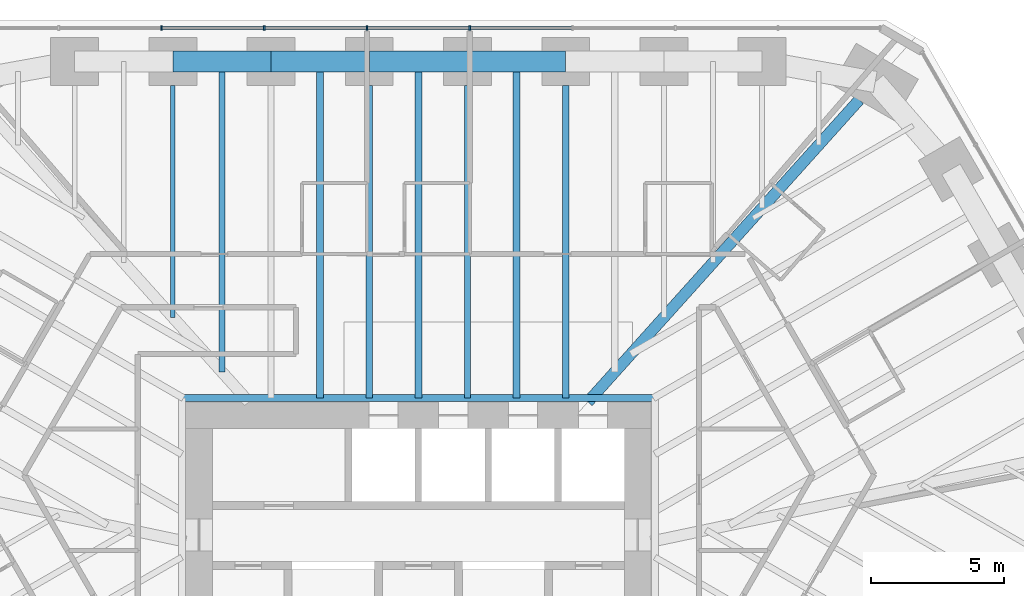
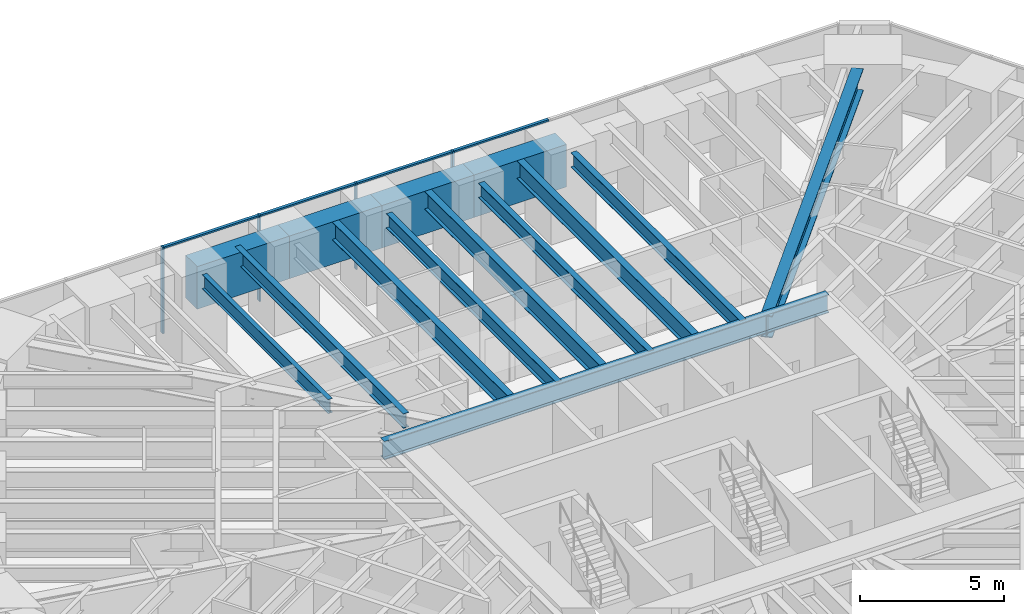
# One storey, part 8 of 16: 14 beams, 8 members, 1 element without a shape of its own.
"""IFC4 building model written with IfcOpenShell, lengths in metres."""

from ifc_helpers import new_model, si_unit, direction, frame, origin, origin_2d, place, context, subcontext, project, spatial, rectangle, i_section, extrude, material, material_profile, profile_set, type_object, element, aggregate, save


model = new_model("IFC4")

# Units and contexts
model_context = context("Model", 3, precision=1e-05, world=origin(), true_north=direction((0.0, 1.0)))
body_context = subcontext(model_context, "Body", "Model", "MODEL_VIEW")
ifc_project = project(units=[si_unit("LENGTHUNIT", "METRE"), si_unit("AREAUNIT", "SQUARE_METRE"), si_unit("VOLUMEUNIT", "CUBIC_METRE"), si_unit("PLANEANGLEUNIT", "RADIAN"), si_unit("MASSUNIT", "GRAM", prefix="KILO")], contexts=[model_context])

# Site, building, storey
site_placement = place(None, origin())
site = spatial("IfcSite", under=ifc_project, at=site_placement, CompositionType="ELEMENT")
building_placement = place(site_placement, origin())
building = spatial("IfcBuilding", under=site, at=building_placement, Name="Sandreach Pilgrim Tower", CompositionType="ELEMENT")
storey_placement = place(building_placement, frame((0.0, 0.0, 183.199951171875)))
storey = spatial("IfcBuildingStorey", under=building, at=storey_placement, Name="L45", CompositionType="ELEMENT", Elevation=183.199951171875)

# Curtain wall, members
ifc_material_1 = material(Name="Aluminium framed curtain wall", Category="aluminium")
curtain_wall_type = type_object("IfcCurtainWallType", Name="Upper hotel tower curtain wall", PredefinedType="NOTDEFINED", material=ifc_material_1)
curtain_wall_placement = place(storey_placement, origin())
curtain_wall = element("IfcCurtainWall", 1, at=curtain_wall_placement, inside=storey, type_object=curtain_wall_type, Name="CW-3 L45 N", PredefinedType="NOTDEFINED")
ifc_material_2 = material(Name="Aluminium extrusion", Category="aluminium")
ifc_material_profile_1 = material_profile(ifc_material_2, rectangle(XDim=0.06494140625, YDim=0.159912109375, at=origin_2d()), Name="CW-3M 65X160")
ifc_profile_set_1 = profile_set([ifc_material_profile_1], Name="Aluminium extrusion")
member_type_1 = type_object("IfcMemberType", Name="CW-3 mullion", PredefinedType="MULLION", material=ifc_profile_set_1)
member_1_placement = place(storey_placement, frame((-9.6611328125, 21.16015625, 0.0), z_axis=(0.0, 0.0, 1.0), x_axis=(1.0, 0.0, 0.0)))
member_1 = element("IfcMember", 2, at=member_1_placement, type_object=member_type_1, Name="CW-3 mullion 3", PredefinedType="MULLION", context=body_context, shape_type="SweptSolid", body=[
    extrude(rectangle(XDim=0.06494140625, YDim=0.159912109375, at=origin_2d()), origin(), (0.0, 0.0, 1.0), 3.64013671875),
])
member_2_placement = place(storey_placement, frame((-5.796630859375, 21.16015625, 0.0), z_axis=(0.0, 0.0, 1.0), x_axis=(1.0, 0.0, 0.0)))
member_2 = element("IfcMember", 3, at=member_2_placement, type_object=member_type_1, Name="CW-3 mullion 4", PredefinedType="MULLION", context=body_context, shape_type="SweptSolid", body=[
    extrude(rectangle(XDim=0.06494140625, YDim=0.159912109375, at=origin_2d()), origin(), (0.0, 0.0, 1.0), 3.64013671875),
])
member_3_placement = place(storey_placement, frame((-1.93212890625, 21.16015625, 0.0), z_axis=(0.0, 0.0, 1.0), x_axis=(1.0, 0.0, 0.0)))
member_3 = element("IfcMember", 4, at=member_3_placement, type_object=member_type_1, Name="CW-3 mullion 5", PredefinedType="MULLION", context=body_context, shape_type="SweptSolid", body=[
    extrude(rectangle(XDim=0.06494140625, YDim=0.159912109375, at=origin_2d()), origin(), (0.0, 0.0, 1.0), 3.64013671875),
])
member_4_placement = place(storey_placement, frame((1.93212890625, 21.16015625, 0.0), z_axis=(0.0, 0.0, 1.0), x_axis=(1.0, 0.0, 0.0)))
member_4 = element("IfcMember", 5, at=member_4_placement, type_object=member_type_1, Name="CW-3 mullion 6", PredefinedType="MULLION", context=body_context, shape_type="SweptSolid", body=[
    extrude(rectangle(XDim=0.06494140625, YDim=0.159912109375, at=origin_2d()), origin(), (0.0, 0.0, 1.0), 3.64013671875),
])
ifc_material_3 = material(Name="Aluminium extrusion", Category="aluminium")
ifc_material_profile_2 = material_profile(ifc_material_3, rectangle(XDim=0.1201171875, YDim=0.070068359375, at=origin_2d()), Name="CW-3T 120X70")
ifc_profile_set_2 = profile_set([ifc_material_profile_2], Name="Aluminium extrusion")
member_type_2 = type_object("IfcMemberType", Name="CW-3 transom", PredefinedType="USERDEFINED", material=ifc_profile_set_2)
member_5_placement = place(storey_placement, frame((-9.628662109375, 21.16015625, 3.60498046875), z_axis=(1.0, 0.0, 0.0), x_axis=(0.0, 1.0, 0.0)))
member_5 = element("IfcMember", 6, at=member_5_placement, type_object=member_type_2, Name="CW-3 head transom 3", ObjectType="TRANSOM", PredefinedType="USERDEFINED", context=body_context, shape_type="SweptSolid", body=[
    extrude(rectangle(XDim=0.1201171875, YDim=0.070068359375, at=origin_2d()), origin(), (0.0, 0.0, 1.0), 3.799560546875),
])
member_6_placement = place(storey_placement, frame((-5.76416015625, 21.16015625, 3.60498046875), z_axis=(1.0, 0.0, 0.0), x_axis=(0.0, 1.0, 0.0)))
member_6 = element("IfcMember", 7, at=member_6_placement, type_object=member_type_2, Name="CW-3 head transom 4", ObjectType="TRANSOM", PredefinedType="USERDEFINED", context=body_context, shape_type="SweptSolid", body=[
    extrude(rectangle(XDim=0.1201171875, YDim=0.070068359375, at=origin_2d()), origin(), (0.0, 0.0, 1.0), 3.799560546875),
])
member_7_placement = place(storey_placement, frame((-1.899658203125, 21.16015625, 3.60498046875), z_axis=(1.0, 0.0, 0.0), x_axis=(0.0, 1.0, 0.0)))
member_7 = element("IfcMember", 8, at=member_7_placement, type_object=member_type_2, Name="CW-3 head transom 5", ObjectType="TRANSOM", PredefinedType="USERDEFINED", context=body_context, shape_type="SweptSolid", body=[
    extrude(rectangle(XDim=0.1201171875, YDim=0.070068359375, at=origin_2d()), origin(), (0.0, 0.0, 1.0), 3.79931640625),
])
member_8_placement = place(storey_placement, frame((1.964599609375, 21.16015625, 3.60498046875), z_axis=(1.0, 0.0, 0.0), x_axis=(0.0, 1.0, 0.0)))
member_8 = element("IfcMember", 9, at=member_8_placement, type_object=member_type_2, Name="CW-3 head transom 6", ObjectType="TRANSOM", PredefinedType="USERDEFINED", context=body_context, shape_type="SweptSolid", body=[
    extrude(rectangle(XDim=0.1201171875, YDim=0.070068359375, at=origin_2d()), origin(), (0.0, 0.0, 1.0), 3.799560546875),
])
aggregate(curtain_wall, [member_1, member_2, member_3, member_4, member_5, member_6, member_7, member_8])

# Beams
ifc_material_4 = material(Name="Steel ASTM A992 Grade 50", Category="steel")
ifc_material_profile_3 = material_profile(ifc_material_4, i_section(OverallWidth=0.2666015625, OverallDepth=0.77978515625, WebThickness=0.0166015625, FlangeThickness=0.030029296875, at=origin_2d()), Name="W30X148")
ifc_profile_set_3 = profile_set([ifc_material_profile_3], Name="Steel ASTM A992 Grade 50")
beam_type_1 = type_object("IfcBeamType", Name="Core edge beam W30X148", PredefinedType="BEAM", material=ifc_profile_set_3)
beam_1_placement = place(storey_placement, frame((-8.893310546875, 7.243408203125, 3.250244140625), z_axis=(1.0, 0.0, 0.0), x_axis=(0.0, 1.0, 0.0)))
element("IfcBeam", 10, at=beam_1_placement, inside=storey, type_object=beam_type_1, Name="BM L45 CEN", PredefinedType="BEAM", context=body_context, shape_type="SweptSolid", body=[
    extrude(i_section(OverallWidth=0.2666015625, OverallDepth=0.77978515625, WebThickness=0.0166015625, FlangeThickness=0.030029296875, at=origin_2d()), origin(), (0.0, 0.0, 1.0), 17.78662109375),
])
ifc_material_5 = material(Name="Steel ASTM A992 Grade 50", Category="steel")
ifc_material_profile_4 = material_profile(ifc_material_5, i_section(OverallWidth=0.421630859375, OverallDepth=0.937255859375, WebThickness=0.0224609375, FlangeThickness=0.039794921875, at=origin_2d()), Name="W36X282")
ifc_profile_set_4 = profile_set([ifc_material_profile_4], Name="Steel ASTM A992 Grade 50")
beam_type_2 = type_object("IfcBeamType", Name="Corner girder W36X282", PredefinedType="BEAM", material=ifc_profile_set_4)
beam_2_placement = place(storey_placement, frame((16.57666015625, 18.4609375, 3.17138671875), z_axis=(-0.668110921251, -0.744061688911, 0.0), x_axis=(0.744061688911, -0.668110921251, 0.0)))
element("IfcBeam", 11, at=beam_2_placement, inside=storey, type_object=beam_type_2, Name="BM L45 CG09", PredefinedType="BEAM", context=body_context, shape_type="SweptSolid", body=[
    extrude(i_section(OverallWidth=0.421630859375, OverallDepth=0.937255859375, WebThickness=0.0224609375, FlangeThickness=0.039794921875, at=origin_2d()), origin(), (0.0, 0.0, 1.0), 15.268798828125),
])
ifc_material_6 = material(Name="Steel ASTM A992 Grade 50", Category="steel")
ifc_material_profile_5 = material_profile(ifc_material_6, i_section(OverallWidth=0.1787109375, OverallDepth=0.60205078125, WebThickness=0.010986328125, FlangeThickness=0.014892578125, at=origin_2d()), Name="W24X62")
ifc_profile_set_5 = profile_set([ifc_material_profile_5], Name="Steel ASTM A992 Grade 50")
beam_type_3 = type_object("IfcBeamType", Name="Floor beam W24X62", PredefinedType="BEAM", material=ifc_profile_set_5)
beam_3_placement = place(storey_placement, frame((-9.231201171875, 19.0, 3.339111328125), z_axis=(0.0, -1.0, 0.0), x_axis=(1.0, 0.0, 0.0)))
element("IfcBeam", 12, at=beam_3_placement, inside=storey, type_object=beam_type_3, Name="BM L45 F02", PredefinedType="BEAM", context=body_context, shape_type="SweptSolid", body=[
    extrude(i_section(OverallWidth=0.1787109375, OverallDepth=0.60205078125, WebThickness=0.010986328125, FlangeThickness=0.014892578125, at=origin_2d()), origin(), (0.0, 0.0, 1.0), 8.719482421875),
])
ifc_material_7 = material(Name="Steel ASTM A992 Grade 50", Category="steel")
ifc_material_profile_6 = material_profile(ifc_material_7, i_section(OverallWidth=0.23046875, OverallDepth=0.6171875, WebThickness=0.01318359375, FlangeThickness=0.022216796875, at=origin_2d()), Name="W24X94")
ifc_profile_set_6 = profile_set([ifc_material_profile_6], Name="Steel ASTM A992 Grade 50")
beam_type_4 = type_object("IfcBeamType", Name="Floor beam W24X94", PredefinedType="BEAM", material=ifc_profile_set_6)
for number, where, z_axis, x_axis, name in (
    (13, (-1.84619140625, 19.0, 3.33154296875), (0.0, -1.0, 0.0), (1.0, 0.0, 0.0), "BM L45 F04"),
    (14, (1.84619140625, 19.0, 3.33154296875), (0.0, -1.0, 0.0), (1.0, 0.0, 0.0), "BM L45 F05"),
    (15, (5.538818359375, 19.0, 3.33154296875), (0.0, -1.0, 0.0), (1.0, 0.0, 0.0), "BM L45 F06"),
):
    element("IfcBeam", number, at=place(storey_placement, frame(where, z_axis=z_axis, x_axis=x_axis)), inside=storey, type_object=beam_type_4, Name=name, PredefinedType="BEAM", context=body_context, shape_type="SweptSolid", body=[
        extrude(i_section(OverallWidth=0.23046875, OverallDepth=0.6171875, WebThickness=0.01318359375, FlangeThickness=0.022216796875, at=origin_2d()), origin(), (0.0, 0.0, 1.0), 11.756591796875),
    ])
beam_4_placement = place(storey_placement, frame((-7.385009765625, 19.900146484375, 3.33154296875), z_axis=(0.0, -1.0, 0.0), x_axis=(1.0, 0.0, 0.0)))
element("IfcBeam", 16, at=beam_4_placement, inside=storey, type_object=beam_type_4, Name="BM L45 FM02", PredefinedType="BEAM", context=body_context, shape_type="SweptSolid", body=[
    extrude(i_section(OverallWidth=0.23046875, OverallDepth=0.6171875, WebThickness=0.01318359375, FlangeThickness=0.022216796875, at=origin_2d()), origin(), (0.0, 0.0, 1.0), 11.67578125),
])
ifc_material_8 = material(Name="Steel ASTM A992 Grade 50", Category="steel")
ifc_material_profile_7 = material_profile(ifc_material_8, i_section(OverallWidth=0.2666015625, OverallDepth=0.761962890625, WebThickness=0.014404296875, FlangeThickness=0.021484375, at=origin_2d()), Name="W30X116")
ifc_profile_set_7 = profile_set([ifc_material_profile_7], Name="Steel ASTM A992 Grade 50")
beam_type_5 = type_object("IfcBeamType", Name="Floor beam W30X116", PredefinedType="BEAM", material=ifc_profile_set_7)
for number, where, z_axis, x_axis, name in (
    (17, (-3.6923828125, 19.900146484375, 3.259033203125), (0.0, -1.0, 0.0), (1.0, 0.0, 0.0), "BM L45 FM03"),
    (18, (0.0, 19.900146484375, 3.259033203125), (0.0, -1.0, 0.0), (1.0, 0.0, 0.0), "BM L45 FM04"),
    (19, (3.6923828125, 19.900146484375, 3.259033203125), (0.0, -1.0, 0.0), (1.0, 0.0, 0.0), "BM L45 FM05"),
):
    element("IfcBeam", number, at=place(storey_placement, frame(where, z_axis=z_axis, x_axis=x_axis)), inside=storey, type_object=beam_type_5, Name=name, PredefinedType="BEAM", context=body_context, shape_type="SweptSolid", body=[
        extrude(i_section(OverallWidth=0.2666015625, OverallDepth=0.761962890625, WebThickness=0.014404296875, FlangeThickness=0.021484375, at=origin_2d()), origin(), (0.0, 0.0, 1.0), 12.65673828125),
    ])
ifc_material_9 = material(Name="Concrete 10000 psi", Category="concrete")
ifc_material_profile_8 = material_profile(ifc_material_9, rectangle(XDim=0.800048828125, YDim=1.800048828125, at=origin_2d()), Name="RC800X1800")
ifc_profile_set_8 = profile_set([ifc_material_profile_8], Name="Concrete 10000 psi")
beam_type_6 = type_object("IfcBeamType", Name="Spandrel beam RC800X1800", PredefinedType="SPANDREL", material=ifc_profile_set_8)
beam_5_placement = place(storey_placement, frame((-9.231201171875, 19.900146484375, 2.739990234375), z_axis=(1.0, 0.0, 0.0), x_axis=(0.0, 1.0, 0.0)))
element("IfcBeam", 20, at=beam_5_placement, inside=storey, type_object=beam_type_6, Name="BM L45 SP02", PredefinedType="SPANDREL", context=body_context, shape_type="SweptSolid", body=[
    extrude(rectangle(XDim=0.800048828125, YDim=1.800048828125, at=origin_2d()), origin(), (0.0, 0.0, 1.0), 3.6923828125),
])
beam_6_placement = place(storey_placement, frame((-5.538818359375, 19.900146484375, 2.739990234375), z_axis=(1.0, 0.0, 0.0), x_axis=(0.0, 1.0, 0.0)))
element("IfcBeam", 21, at=beam_6_placement, inside=storey, type_object=beam_type_6, Name="BM L45 SP03", PredefinedType="SPANDREL", context=body_context, shape_type="SweptSolid", body=[
    extrude(rectangle(XDim=0.800048828125, YDim=1.800048828125, at=origin_2d()), origin(), (0.0, 0.0, 1.0), 3.692626953125),
])
beam_7_placement = place(storey_placement, frame((-1.84619140625, 19.900146484375, 2.739990234375), z_axis=(1.0, 0.0, 0.0), x_axis=(0.0, 1.0, 0.0)))
element("IfcBeam", 22, at=beam_7_placement, inside=storey, type_object=beam_type_6, Name="BM L45 SP04", PredefinedType="SPANDREL", context=body_context, shape_type="SweptSolid", body=[
    extrude(rectangle(XDim=0.800048828125, YDim=1.800048828125, at=origin_2d()), origin(), (0.0, 0.0, 1.0), 3.6923828125),
])
beam_8_placement = place(storey_placement, frame((1.84619140625, 19.900146484375, 2.739990234375), z_axis=(1.0, 0.0, 0.0), x_axis=(0.0, 1.0, 0.0)))
element("IfcBeam", 23, at=beam_8_placement, inside=storey, type_object=beam_type_6, Name="BM L45 SP05", PredefinedType="SPANDREL", context=body_context, shape_type="SweptSolid", body=[
    extrude(rectangle(XDim=0.800048828125, YDim=1.800048828125, at=origin_2d()), origin(), (0.0, 0.0, 1.0), 3.692626953125),
])

save(model, "model.ifc")
